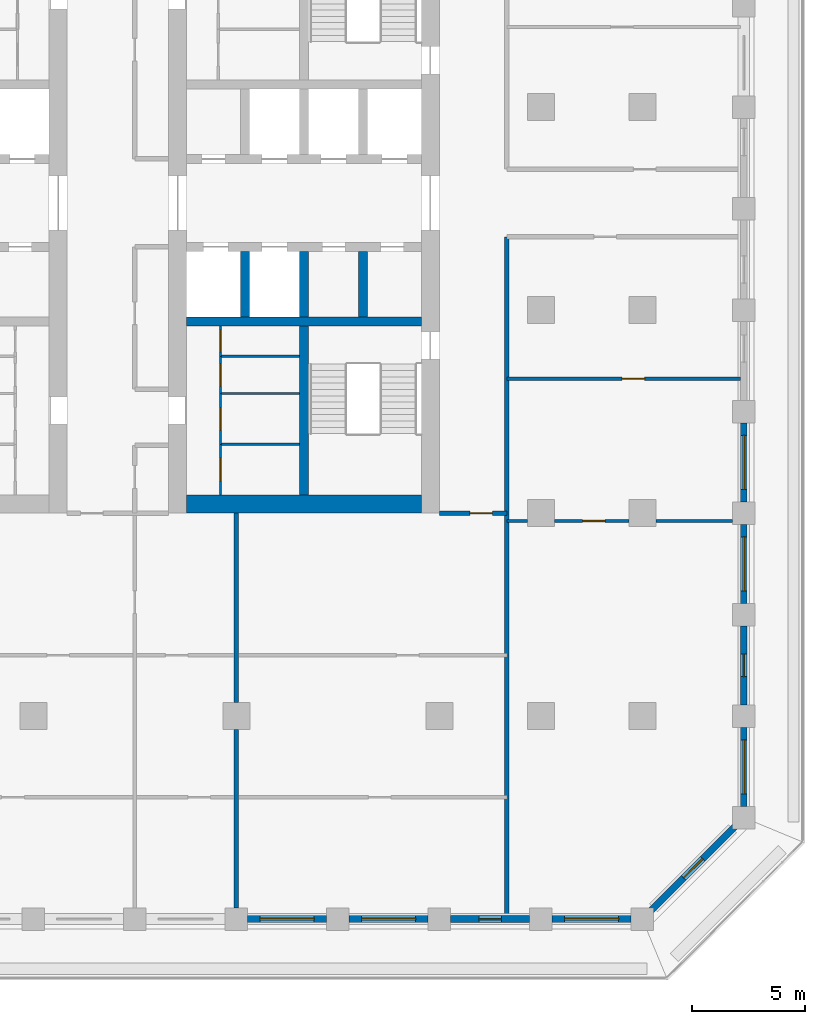
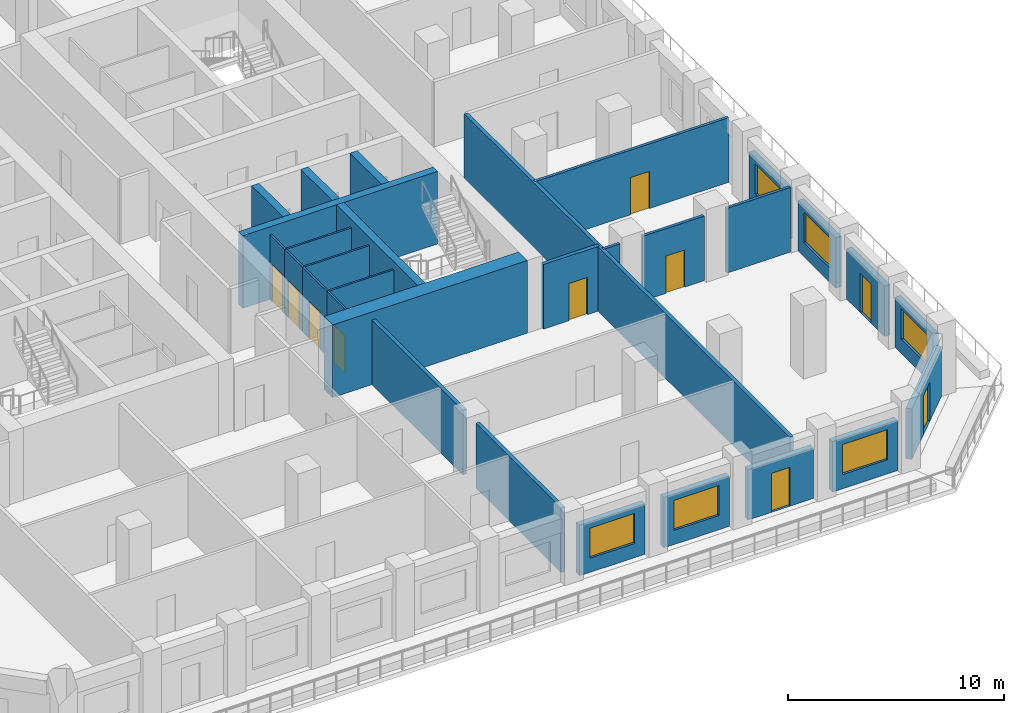
# One storey, part 4 of 16: 30 walls, 10 doors, 6 windows, 16 openings.
"""IFC4 building model written with IfcOpenShell, lengths in metres."""

from ifc_helpers import new_model, si_unit, direction, frame, frame_2d, origin, place, context, subcontext, project, spatial, rectangle, extrude, material, layer, layer_set, type_object, element, fill, save


model = new_model("IFC4")

# Units and contexts
model_context = context("Model", 3, precision=1e-05, world=origin(), true_north=direction((0.0, 1.0)))
body_context = subcontext(model_context, "Body", "Model", "MODEL_VIEW")
ifc_project = project(units=[si_unit("LENGTHUNIT", "METRE"), si_unit("AREAUNIT", "SQUARE_METRE"), si_unit("VOLUMEUNIT", "CUBIC_METRE"), si_unit("PLANEANGLEUNIT", "RADIAN"), si_unit("MASSUNIT", "GRAM", prefix="KILO")], contexts=[model_context])

# Site, building, storey
site_placement = place(None, origin())
site = spatial("IfcSite", under=ifc_project, at=site_placement, CompositionType="ELEMENT")
building_placement = place(site_placement, origin())
building = spatial("IfcBuilding", under=site, at=building_placement, Name="Corbel Stack Research Tower", CompositionType="ELEMENT")
storey_placement = place(building_placement, frame((0.0, 0.0, 203.800048828125)))
storey = spatial("IfcBuildingStorey", under=building, at=storey_placement, Name="L46", CompositionType="ELEMENT", Elevation=203.800048828125)

# Walls
ifc_material_1 = material(Name="Concrete C60/75", Category="concrete")
ifc_layer_1 = layer(ifc_material_1, 0.39990234375)
ifc_layer_set_1 = layer_set([ifc_layer_1], Name="Concrete C60/75")
wall_type_1 = type_object("IfcWallType", Name="CW-400-60", PredefinedType="SHEAR", material=ifc_layer_set_1)
wall_1_placement = place(storey_placement, frame((6.800048828125, -0.5, 0.0), z_axis=(0.0, 0.0, 1.0), x_axis=(1.0, 0.0, 0.0)))
element("IfcWall", 1, at=wall_1_placement, inside=storey, type_object=wall_type_1, Name="East core wall, south row back L46", PredefinedType="SHEAR", context=body_context, shape_type="SweptSolid", body=[
    extrude(rectangle(XDim=10.39990234375, YDim=0.39990234375, at=frame_2d((5.199951171875, 0.0))), origin(), (0.0, 0.0, 1.0), 4.099853515625),
])
for number, where, z_axis, x_axis, name in (
    (2, (9.375, -0.300048828125, 0.0), (0.0, 0.0, 1.0), (0.0, 1.0, 0.0), "East core wall, south shaft 1 L46"),
    (3, (12.0, -0.300048828125, 0.0), (0.0, 0.0, 1.0), (0.0, 1.0, 0.0), "East core wall, south shaft 2 L46"),
    (4, (14.625, -0.300048828125, 0.0), (0.0, 0.0, 1.0), (0.0, 1.0, 0.0), "East core wall, south shaft 3 L46"),
):
    element("IfcWall", number, at=place(storey_placement, frame(where, z_axis=z_axis, x_axis=x_axis)), inside=storey, type_object=wall_type_1, Name=name, PredefinedType="SHEAR", context=body_context, shape_type="SweptSolid", body=[
        extrude(rectangle(XDim=2.900146484375, YDim=0.39990234375, at=frame_2d((1.4501953125, 0.0))), origin(), (0.0, 0.0, 1.0), 4.099853515625),
    ])
wall_2_placement = place(storey_placement, frame((12.0, -8.199951171875, 0.0), z_axis=(0.0, 0.0, 1.0), x_axis=(0.0, 1.0, 0.0)))
element("IfcWall", 5, at=wall_2_placement, inside=storey, type_object=wall_type_1, Name="East core wall, south stair and WC L46", PredefinedType="SHEAR", context=body_context, shape_type="SweptSolid", body=[
    extrude(rectangle(XDim=7.5, YDim=0.39990234375, at=frame_2d((3.75, 0.0))), origin(), (0.0, 0.0, 1.0), 4.099853515625),
])
ifc_material_2 = material(Name="Concrete C60/75", Category="concrete")
ifc_layer_2 = layer(ifc_material_2, 0.800048828125)
ifc_layer_set_2 = layer_set([ifc_layer_2], Name="Concrete C60/75")
wall_type_2 = type_object("IfcWallType", Name="CW-800-60", PredefinedType="SHEAR", material=ifc_layer_set_2)
wall_3_placement = place(storey_placement, frame((6.800048828125, -8.60009765625, 0.0), z_axis=(0.0, 0.0, 1.0), x_axis=(1.0, 0.0, 0.0)))
element("IfcWall", 6, at=wall_3_placement, inside=storey, type_object=wall_type_2, Name="East core wall, south end L46", PredefinedType="SHEAR", context=body_context, shape_type="SweptSolid", body=[
    extrude(rectangle(XDim=10.39990234375, YDim=0.800048828125, at=frame_2d((5.199951171875, 0.0))), origin(), (0.0, 0.0, 1.0), 4.099853515625),
])

# Wall, opening, door
ifc_material_3 = material(Name="Gypsum board")
ifc_layer_3 = layer(ifc_material_3, 0.10009765625)
ifc_layer_set_3 = layer_set([ifc_layer_3], Name="Gypsum board")
wall_type_3 = type_object("IfcWallType", Name="Core partition 100", PredefinedType="PARTITIONING", material=ifc_layer_set_3)
wall_4_placement = place(storey_placement, frame((8.300048828125, -8.199951171875, 0.0), z_axis=(0.0, 0.0, 1.0), x_axis=(0.0, 1.0, 0.0)))
wall_4 = element("IfcWall", 7, at=wall_4_placement, inside=storey, type_object=wall_type_3, Name="Core partition E", PredefinedType="PARTITIONING", context=body_context, shape_type="SweptSolid", body=[
    extrude(rectangle(XDim=2.25, YDim=0.10009765625, at=frame_2d((1.125, 0.0))), origin(), (0.0, 0.0, 1.0), 3.64990234375),
])
opening_1_placement = place(wall_4_placement, frame((0.625, 0.0, 0.0)))
opening_1 = element("IfcOpeningElement", 8, at=opening_1_placement, cuts=wall_4, Name="Opening CR-E42-W2-1000", PredefinedType="OPENING", context=body_context, shape_type="SweptSolid", body=[
    extrude(rectangle(XDim=1.0, YDim=2.10009765625, at=frame_2d((0.5, 1.050048828125))), frame((0.0, 0.06005859375, 0.0), z_axis=(0.0, -1.0, 0.0), x_axis=(1.0, 0.0, 0.0)), (0.0, 0.0, 1.0), 0.1201171875),
])
ifc_material_4 = material(Name="Painted timber door", Category="wood")
door_type_1 = type_object("IfcDoorType", Name="WC door 1000 x 2100 left hand", OperationType="SINGLE_SWING_LEFT", PredefinedType="DOOR", material=ifc_material_4)
door_1_placement = place(opening_1_placement, origin())
door_1 = element("IfcDoor", 9, at=door_1_placement, inside=storey, type_object=door_type_1, Name="Men's WC door E core", OperationType="SINGLE_SWING_LEFT", OverallHeight=2.10009765625, OverallWidth=1.0, PredefinedType="DOOR", context=body_context, shape_type="SweptSolid", body=[
    extrude(rectangle(XDim=1.0, YDim=2.10009765625, at=frame_2d((0.5, 1.050048828125))), frame((0.0, 0.02490234375, 0.0), z_axis=(0.0, -1.0, 0.0), x_axis=(1.0, 0.0, 0.0)), (0.0, 0.0, 1.0), 0.050048828125),
])
fill(opening_1, door_1)

wall_5_placement = place(storey_placement, frame((8.300048828125, -5.949951171875, 0.0), z_axis=(0.0, 0.0, 1.0), x_axis=(0.0, 1.0, 0.0)))
wall_5 = element("IfcWall", 10, at=wall_5_placement, inside=storey, type_object=wall_type_3, Name="Core partition E", PredefinedType="PARTITIONING", context=body_context, shape_type="SweptSolid", body=[
    extrude(rectangle(XDim=2.25, YDim=0.10009765625, at=frame_2d((1.125, 0.0))), origin(), (0.0, 0.0, 1.0), 3.64990234375),
])
opening_2_placement = place(wall_5_placement, frame((0.625, 0.0, 0.0)))
opening_2 = element("IfcOpeningElement", 11, at=opening_2_placement, cuts=wall_5, Name="Opening CR-E42-W3-1000", PredefinedType="OPENING", context=body_context, shape_type="SweptSolid", body=[
    extrude(rectangle(XDim=1.0, YDim=2.10009765625, at=frame_2d((0.5, 1.050048828125))), frame((0.0, 0.06005859375, 0.0), z_axis=(0.0, -1.0, 0.0), x_axis=(1.0, 0.0, 0.0)), (0.0, 0.0, 1.0), 0.1201171875),
])
ifc_material_5 = material(Name="Painted timber door", Category="wood")
door_type_2 = type_object("IfcDoorType", Name="WC door 1000 x 2100 right hand", OperationType="SINGLE_SWING_RIGHT", PredefinedType="DOOR", material=ifc_material_5)
door_2_placement = place(opening_2_placement, origin())
door_2 = element("IfcDoor", 12, at=door_2_placement, inside=storey, type_object=door_type_2, Name="Women's WC door E core", OperationType="SINGLE_SWING_RIGHT", OverallHeight=2.10009765625, OverallWidth=1.0, PredefinedType="DOOR", context=body_context, shape_type="SweptSolid", body=[
    extrude(rectangle(XDim=1.0, YDim=2.10009765625, at=frame_2d((0.5, 1.050048828125))), frame((0.0, 0.02490234375, 0.0), z_axis=(0.0, -1.0, 0.0), x_axis=(1.0, 0.0, 0.0)), (0.0, 0.0, 1.0), 0.050048828125),
])
fill(opening_2, door_2)

wall_6_placement = place(storey_placement, frame((8.300048828125, -3.699951171875, 0.0), z_axis=(0.0, 0.0, 1.0), x_axis=(0.0, 1.0, 0.0)))
wall_6 = element("IfcWall", 13, at=wall_6_placement, inside=storey, type_object=wall_type_3, Name="Core partition E", PredefinedType="PARTITIONING", context=body_context, shape_type="SweptSolid", body=[
    extrude(rectangle(XDim=1.64990234375, YDim=0.10009765625, at=frame_2d((0.824951171875, 0.0))), origin(), (0.0, 0.0, 1.0), 3.64990234375),
])
opening_3_placement = place(wall_6_placement, frame((0.324951171875, 0.0, 0.0)))
opening_3 = element("IfcOpeningElement", 14, at=opening_3_placement, cuts=wall_6, Name="Opening CR-E42-W4-1000", PredefinedType="OPENING", context=body_context, shape_type="SweptSolid", body=[
    extrude(rectangle(XDim=1.0, YDim=2.10009765625, at=frame_2d((0.5, 1.050048828125))), frame((0.0, 0.06005859375, 0.0), z_axis=(0.0, -1.0, 0.0), x_axis=(1.0, 0.0, 0.0)), (0.0, 0.0, 1.0), 0.1201171875),
])
door_3_placement = place(opening_3_placement, origin())
door_3 = element("IfcDoor", 15, at=door_3_placement, inside=storey, type_object=door_type_1, Name="Accessible WC door E core", OperationType="SINGLE_SWING_LEFT", OverallHeight=2.10009765625, OverallWidth=1.0, PredefinedType="DOOR", context=body_context, shape_type="SweptSolid", body=[
    extrude(rectangle(XDim=1.0, YDim=2.10009765625, at=frame_2d((0.5, 1.050048828125))), frame((0.0, 0.02490234375, 0.0), z_axis=(0.0, -1.0, 0.0), x_axis=(1.0, 0.0, 0.0)), (0.0, 0.0, 1.0), 0.050048828125),
])
fill(opening_3, door_3)

wall_7_placement = place(storey_placement, frame((8.300048828125, -2.050048828125, 0.0), z_axis=(0.0, 0.0, 1.0), x_axis=(0.0, 1.0, 0.0)))
wall_7 = element("IfcWall", 16, at=wall_7_placement, inside=storey, type_object=wall_type_3, Name="Core partition E", PredefinedType="PARTITIONING", context=body_context, shape_type="SweptSolid", body=[
    extrude(rectangle(XDim=1.35009765625, YDim=0.10009765625, at=frame_2d((0.675048828125, 0.0))), origin(), (0.0, 0.0, 1.0), 3.64990234375),
])
opening_4_placement = place(wall_7_placement, frame((0.199951171875, 0.0, 0.0)))
opening_4 = element("IfcOpeningElement", 17, at=opening_4_placement, cuts=wall_7, Name="Opening CR-E42-W5-950", PredefinedType="OPENING", context=body_context, shape_type="SweptSolid", body=[
    extrude(rectangle(XDim=0.949951171875, YDim=2.10009765625, at=frame_2d((0.47509765625, 1.050048828125))), frame((0.0, 0.06005859375, 0.0), z_axis=(0.0, -1.0, 0.0), x_axis=(1.0, 0.0, 0.0)), (0.0, 0.0, 1.0), 0.1201171875),
])
ifc_material_6 = material(Name="Painted steel door", Category="steel")
door_type_3 = type_object("IfcDoorType", Name="Service door 950 x 2100 FD30 right hand", OperationType="SINGLE_SWING_RIGHT", PredefinedType="DOOR", material=ifc_material_6)
door_4_placement = place(opening_4_placement, origin())
door_4 = element("IfcDoor", 18, at=door_4_placement, inside=storey, type_object=door_type_3, Name="Cleaner's store door E core", OperationType="SINGLE_SWING_RIGHT", OverallHeight=2.10009765625, OverallWidth=0.949951171875, PredefinedType="DOOR", context=body_context, shape_type="SweptSolid", body=[
    extrude(rectangle(XDim=0.949951171875, YDim=2.10009765625, at=frame_2d((0.47509765625, 1.050048828125))), frame((0.0, 0.02490234375, 0.0), z_axis=(0.0, -1.0, 0.0), x_axis=(1.0, 0.0, 0.0)), (0.0, 0.0, 1.0), 0.050048828125),
])
fill(opening_4, door_4)

# Walls
for number, where, z_axis, x_axis, name in (
    (19, (8.300048828125, -5.949951171875, 0.0), (0.0, 0.0, 1.0), (1.0, 0.0, 0.0), "Core partition E"),
    (20, (8.300048828125, -3.699951171875, 0.0), (0.0, 0.0, 1.0), (1.0, 0.0, 0.0), "Core partition E"),
    (21, (8.300048828125, -2.050048828125, 0.0), (0.0, 0.0, 1.0), (1.0, 0.0, 0.0), "Core partition E"),
):
    element("IfcWall", number, at=place(storey_placement, frame(where, z_axis=z_axis, x_axis=x_axis)), inside=storey, type_object=wall_type_3, Name=name, PredefinedType="PARTITIONING", context=body_context, shape_type="SweptSolid", body=[
        extrude(rectangle(XDim=3.5, YDim=0.10009765625, at=frame_2d((1.75, 0.0))), origin(), (0.0, 0.0, 1.0), 3.64990234375),
    ])
ifc_material_7 = material(Name="Fire-rated gypsum board partition on steel studs", Category="steel")
ifc_layer_4 = layer(ifc_material_7, 0.199951171875)
ifc_layer_set_4 = layer_set([ifc_layer_4], Name="Fire-rated gypsum board partition on steel studs")
wall_type_4 = type_object("IfcWallType", Name="Fire-rated partition 200 EI 60", PredefinedType="PARTITIONING", material=ifc_layer_set_4)
wall_8_placement = place(storey_placement, frame((9.0, -26.5, 0.0), z_axis=(0.0, 0.0, 1.0), x_axis=(0.0, 1.0, 0.0)))
element("IfcWall", 22, at=wall_8_placement, inside=storey, type_object=wall_type_4, Name="Partition L46-010", PredefinedType="PARTITIONING", context=body_context, shape_type="SweptSolid", body=[
    extrude(rectangle(XDim=7.89990234375, YDim=0.199951171875, at=frame_2d((3.949951171875, 0.0))), origin(), (0.0, 0.0, 1.0), 3.64990234375),
])
wall_9_placement = place(storey_placement, frame((9.0, -17.39990234375, 0.0), z_axis=(0.0, 0.0, 1.0), x_axis=(0.0, 1.0, 0.0)))
element("IfcWall", 23, at=wall_9_placement, inside=storey, type_object=wall_type_4, Name="Partition L46-011", PredefinedType="PARTITIONING", context=body_context, shape_type="SweptSolid", body=[
    extrude(rectangle(XDim=8.39990234375, YDim=0.199951171875, at=frame_2d((4.199951171875, 0.0))), origin(), (0.0, 0.0, 1.0), 3.64990234375),
])
wall_10_placement = place(storey_placement, frame((21.0, -26.85009765625, 0.0), z_axis=(0.0, 0.0, 1.0), x_axis=(0.0, 1.0, 0.0)))
element("IfcWall", 24, at=wall_10_placement, inside=storey, type_object=wall_type_4, Name="Partition L46-014", PredefinedType="PARTITIONING", context=body_context, shape_type="SweptSolid", body=[
    extrude(rectangle(XDim=30.10009765625, YDim=0.199951171875, at=frame_2d((15.050048828125, 0.0))), origin(), (0.0, 0.0, 1.0), 3.64990234375),
])

# Wall, opening, door
wall_11_placement = place(storey_placement, frame((21.0, -9.0, 0.0), z_axis=(0.0, 0.0, 1.0), x_axis=(-1.0, 0.0, 0.0)))
wall_11 = element("IfcWall", 25, at=wall_11_placement, inside=storey, type_object=wall_type_4, Name="Partition L46-025", PredefinedType="PARTITIONING", context=body_context, shape_type="SweptSolid", body=[
    extrude(rectangle(XDim=3.0, YDim=0.199951171875, at=frame_2d((1.5, 0.0))), origin(), (0.0, 0.0, 1.0), 3.64990234375),
])
opening_5_placement = place(wall_11_placement, frame((0.64990234375, 0.0, 0.0)))
opening_5 = element("IfcOpeningElement", 26, at=opening_5_placement, cuts=wall_11, Name="Opening B6V1-013", PredefinedType="OPENING", context=body_context, shape_type="SweptSolid", body=[
    extrude(rectangle(XDim=1.0, YDim=2.10009765625, at=frame_2d((0.5, 1.050048828125))), frame((0.0, 0.10986328125, 0.0), z_axis=(0.0, -1.0, 0.0), x_axis=(1.0, 0.0, 0.0)), (0.0, 0.0, 1.0), 0.219970703125),
])
ifc_material_8 = material(Name="Painted steel fire door", Category="steel")
door_type_4 = type_object("IfcDoorType", Name="Fire door FD30S 1000 x 2100", OperationType="NOTDEFINED", PredefinedType="DOOR", material=ifc_material_8)
door_5_placement = place(opening_5_placement, origin())
door_5 = element("IfcDoor", 27, at=door_5_placement, inside=storey, type_object=door_type_4, Name="Door B6V1-013", OperationType="SINGLE_SWING_LEFT", OverallHeight=2.10009765625, OverallWidth=1.0, PredefinedType="DOOR", context=body_context, shape_type="SweptSolid", body=[
    extrude(rectangle(XDim=1.0, YDim=2.10009765625, at=frame_2d((0.5, 1.050048828125))), frame((0.0, 0.02490234375, 0.0), z_axis=(0.0, -1.0, 0.0), x_axis=(1.0, 0.0, 0.0)), (0.0, 0.0, 1.0), 0.050048828125),
])
fill(opening_5, door_5)

# Wall
ifc_material_9 = material(Name="Gypsum board partition on steel studs", Category="steel")
ifc_layer_5 = layer(ifc_material_9, 0.14990234375)
ifc_layer_set_5 = layer_set([ifc_layer_5], Name="Gypsum board partition on steel studs")
wall_type_5 = type_object("IfcWallType", Name="Partition 150", PredefinedType="PARTITIONING", material=ifc_layer_set_5)
wall_12_placement = place(storey_placement, frame((21.0, -9.35009765625, 0.0), z_axis=(0.0, 0.0, 1.0), x_axis=(1.0, 0.0, 0.0)))
element("IfcWall", 28, at=wall_12_placement, inside=storey, type_object=wall_type_5, Name="Partition L46-020", PredefinedType="PARTITIONING", context=body_context, shape_type="SweptSolid", body=[
    extrude(rectangle(XDim=0.89990234375, YDim=0.14990234375, at=frame_2d((0.449951171875, 0.0))), origin(), (0.0, 0.0, 1.0), 3.64990234375),
])

# Wall, opening, door
wall_13_placement = place(storey_placement, frame((26.39990234375, -9.35009765625, 0.0), z_axis=(0.0, 0.0, 1.0), x_axis=(-1.0, 0.0, 0.0)))
wall_13 = element("IfcWall", 29, at=wall_13_placement, inside=storey, type_object=wall_type_5, Name="Partition L46-021", PredefinedType="PARTITIONING", context=body_context, shape_type="SweptSolid", body=[
    extrude(rectangle(XDim=3.2998046875, YDim=0.14990234375, at=frame_2d((1.64990234375, 0.0))), origin(), (0.0, 0.0, 1.0), 3.64990234375),
])
opening_6_placement = place(wall_13_placement, frame((1.050048828125, 0.0, 0.0)))
opening_6 = element("IfcOpeningElement", 30, at=opening_6_placement, cuts=wall_13, Name="Opening B6V1-010", PredefinedType="OPENING", context=body_context, shape_type="SweptSolid", body=[
    extrude(rectangle(XDim=1.0, YDim=2.10009765625, at=frame_2d((0.5, 1.050048828125))), frame((0.0, 0.0849609375, 0.0), z_axis=(0.0, -1.0, 0.0), x_axis=(1.0, 0.0, 0.0)), (0.0, 0.0, 1.0), 0.169921875),
])
ifc_material_10 = material(Name="Painted timber door", Category="wood")
door_type_5 = type_object("IfcDoorType", Name="Single door 1000 x 2100", OperationType="NOTDEFINED", PredefinedType="DOOR", material=ifc_material_10)
door_6_placement = place(opening_6_placement, origin())
door_6 = element("IfcDoor", 31, at=door_6_placement, inside=storey, type_object=door_type_5, Name="Door B6V1-010", OperationType="SINGLE_SWING_LEFT", OverallHeight=2.10009765625, OverallWidth=1.0, PredefinedType="DOOR", context=body_context, shape_type="SweptSolid", body=[
    extrude(rectangle(XDim=1.0, YDim=2.10009765625, at=frame_2d((0.5, 1.050048828125))), frame((0.0, 0.02490234375, 0.0), z_axis=(0.0, -1.0, 0.0), x_axis=(1.0, 0.0, 0.0)), (0.0, 0.0, 1.0), 0.050048828125),
])
fill(opening_6, door_6)

# Wall
wall_14_placement = place(storey_placement, frame((27.60009765625, -9.35009765625, 0.0), z_axis=(0.0, 0.0, 1.0), x_axis=(1.0, 0.0, 0.0)))
element("IfcWall", 32, at=wall_14_placement, inside=storey, type_object=wall_type_5, Name="Partition L46-022", PredefinedType="PARTITIONING", context=body_context, shape_type="SweptSolid", body=[
    extrude(rectangle(XDim=3.39990234375, YDim=0.14990234375, at=frame_2d((1.699951171875, 0.0))), origin(), (0.0, 0.0, 1.0), 3.64990234375),
])

# Wall, opening, door
wall_15_placement = place(storey_placement, frame((31.35009765625, -3.050048828125, 0.0), z_axis=(0.0, 0.0, 1.0), x_axis=(-1.0, 0.0, 0.0)))
wall_15 = element("IfcWall", 33, at=wall_15_placement, inside=storey, type_object=wall_type_5, Name="Partition L46-029", PredefinedType="PARTITIONING", context=body_context, shape_type="SweptSolid", body=[
    extrude(rectangle(XDim=10.35009765625, YDim=0.14990234375, at=frame_2d((5.175048828125, 0.0))), origin(), (0.0, 0.0, 1.0), 3.64990234375),
])
opening_7_placement = place(wall_15_placement, frame((4.25, 0.0, 0.0)))
opening_7 = element("IfcOpeningElement", 34, at=opening_7_placement, cuts=wall_15, Name="Opening B6V1-015", PredefinedType="OPENING", context=body_context, shape_type="SweptSolid", body=[
    extrude(rectangle(XDim=1.0, YDim=2.10009765625, at=frame_2d((0.5, 1.050048828125))), frame((0.0, 0.0849609375, 0.0), z_axis=(0.0, -1.0, 0.0), x_axis=(1.0, 0.0, 0.0)), (0.0, 0.0, 1.0), 0.169921875),
])
door_7_placement = place(opening_7_placement, origin())
door_7 = element("IfcDoor", 35, at=door_7_placement, inside=storey, type_object=door_type_5, Name="Door B6V1-015", OperationType="SINGLE_SWING_LEFT", OverallHeight=2.10009765625, OverallWidth=1.0, PredefinedType="DOOR", context=body_context, shape_type="SweptSolid", body=[
    extrude(rectangle(XDim=1.0, YDim=2.10009765625, at=frame_2d((0.5, 1.050048828125))), frame((0.0, 0.02490234375, 0.0), z_axis=(0.0, -1.0, 0.0), x_axis=(1.0, 0.0, 0.0)), (0.0, 0.0, 1.0), 0.050048828125),
])
fill(opening_7, door_7)

# Wall, opening, window
ifc_material_11 = material(Name="Concrete C45/55", Category="concrete")
ifc_layer_6 = layer(ifc_material_11, 0.300048828125)
ifc_layer_set_6 = layer_set([ifc_layer_6], Name="Concrete C45/55")
wall_type_6 = type_object("IfcWallType", Name="Terracotta-faced concrete wall 300", PredefinedType="SOLIDWALL", material=ifc_layer_set_6)
wall_16_placement = place(storey_placement, frame((13.0, -27.0, 0.0), z_axis=(0.0, 0.0, 1.0), x_axis=(-1.0, 0.0, 0.0)))
wall_16 = element("IfcWall", 36, at=wall_16_placement, inside=storey, type_object=wall_type_6, Name="Facade wall L46 S07", PredefinedType="SOLIDWALL", context=body_context, shape_type="SweptSolid", body=[
    extrude(rectangle(XDim=3.5, YDim=0.300048828125, at=frame_2d((1.75, 0.0))), origin(), (0.0, 0.0, 1.0), 2.849853515625),
])
opening_8_placement = place(wall_16_placement, frame((0.550048828125, 0.0, 0.800048828125)))
opening_8 = element("IfcOpeningElement", 37, at=opening_8_placement, cuts=wall_16, Name="Opening W1", PredefinedType="OPENING", context=body_context, shape_type="SweptSolid", body=[
    extrude(rectangle(XDim=2.39990234375, YDim=1.699951171875, at=frame_2d((1.199951171875, 0.85009765625))), frame((0.0, 0.159912109375, 0.0), z_axis=(0.0, -1.0, 0.0), x_axis=(1.0, 0.0, 0.0)), (0.0, 0.0, 1.0), 0.320068359375),
])
ifc_material_12 = material(Name="Aluminium frame, clear double glazing", Category="aluminium")
window_type = type_object("IfcWindowType", Name="Window W1 2400 x 1700", PartitioningType="SINGLE_PANEL", PredefinedType="WINDOW", material=ifc_material_12)
window_1_placement = place(opening_8_placement, origin())
window_1 = element("IfcWindow", 38, at=window_1_placement, inside=storey, type_object=window_type, Name="Window W1 L46 S07", OverallHeight=1.699951171875, OverallWidth=2.39990234375, PartitioningType="SINGLE_PANEL", PredefinedType="WINDOW", context=body_context, shape_type="SweptSolid", body=[
    extrude(rectangle(XDim=2.39990234375, YDim=1.699951171875, at=frame_2d((1.199951171875, 0.85009765625))), frame((0.0, 0.030029296875, 0.0), z_axis=(0.0, -1.0, 0.0), x_axis=(1.0, 0.0, 0.0)), (0.0, 0.0, 1.0), 0.06005859375),
])
fill(opening_8, window_1)

wall_17_placement = place(storey_placement, frame((17.5, -27.0, 0.0), z_axis=(0.0, 0.0, 1.0), x_axis=(-1.0, 0.0, 0.0)))
wall_17 = element("IfcWall", 39, at=wall_17_placement, inside=storey, type_object=wall_type_6, Name="Facade wall L46 S08", PredefinedType="SOLIDWALL", context=body_context, shape_type="SweptSolid", body=[
    extrude(rectangle(XDim=3.5, YDim=0.300048828125, at=frame_2d((1.75, 0.0))), origin(), (0.0, 0.0, 1.0), 2.849853515625),
])
opening_9_placement = place(wall_17_placement, frame((0.550048828125, 0.0, 0.800048828125)))
opening_9 = element("IfcOpeningElement", 40, at=opening_9_placement, cuts=wall_17, Name="Opening W1", PredefinedType="OPENING", context=body_context, shape_type="SweptSolid", body=[
    extrude(rectangle(XDim=2.39990234375, YDim=1.699951171875, at=frame_2d((1.199951171875, 0.85009765625))), frame((0.0, 0.159912109375, 0.0), z_axis=(0.0, -1.0, 0.0), x_axis=(1.0, 0.0, 0.0)), (0.0, 0.0, 1.0), 0.320068359375),
])
window_2_placement = place(opening_9_placement, origin())
window_2 = element("IfcWindow", 41, at=window_2_placement, inside=storey, type_object=window_type, Name="Window W1 L46 S08", OverallHeight=1.699951171875, OverallWidth=2.39990234375, PartitioningType="SINGLE_PANEL", PredefinedType="WINDOW", context=body_context, shape_type="SweptSolid", body=[
    extrude(rectangle(XDim=2.39990234375, YDim=1.699951171875, at=frame_2d((1.199951171875, 0.85009765625))), frame((0.0, 0.030029296875, 0.0), z_axis=(0.0, -1.0, 0.0), x_axis=(1.0, 0.0, 0.0)), (0.0, 0.0, 1.0), 0.06005859375),
])
fill(opening_9, window_2)

# Wall, opening, door
wall_18_placement = place(storey_placement, frame((22.0, -27.0, 0.0), z_axis=(0.0, 0.0, 1.0), x_axis=(-1.0, 0.0, 0.0)))
wall_18 = element("IfcWall", 42, at=wall_18_placement, inside=storey, type_object=wall_type_6, Name="Facade wall L46 S09", PredefinedType="SOLIDWALL", context=body_context, shape_type="SweptSolid", body=[
    extrude(rectangle(XDim=3.5, YDim=0.300048828125, at=frame_2d((1.75, 0.0))), origin(), (0.0, 0.0, 1.0), 2.849853515625),
])
opening_10_placement = place(wall_18_placement, frame((1.25, 0.0, 0.0)))
opening_10 = element("IfcOpeningElement", 43, at=opening_10_placement, cuts=wall_18, Name="Opening L46-B02", PredefinedType="OPENING", context=body_context, shape_type="SweptSolid", body=[
    extrude(rectangle(XDim=1.0, YDim=2.199951171875, at=frame_2d((0.5, 1.10009765625))), frame((0.0, 0.159912109375, 0.0), z_axis=(0.0, -1.0, 0.0), x_axis=(1.0, 0.0, 0.0)), (0.0, 0.0, 1.0), 0.320068359375),
])
ifc_material_13 = material(Name="Aluminium frame, clear double glazing", Category="aluminium")
door_type_6 = type_object("IfcDoorType", Name="Balcony door BD1 1000 x 2200", OperationType="NOTDEFINED", PredefinedType="DOOR", material=ifc_material_13)
door_8_placement = place(opening_10_placement, origin())
door_8 = element("IfcDoor", 44, at=door_8_placement, inside=storey, type_object=door_type_6, Name="Balcony door L46-B02", OperationType="SINGLE_SWING_LEFT", OverallHeight=2.199951171875, OverallWidth=1.0, PredefinedType="DOOR", context=body_context, shape_type="SweptSolid", body=[
    extrude(rectangle(XDim=1.0, YDim=2.199951171875, at=frame_2d((0.5, 1.10009765625))), frame((0.0, 0.02490234375, 0.0), z_axis=(0.0, -1.0, 0.0), x_axis=(1.0, 0.0, 0.0)), (0.0, 0.0, 1.0), 0.050048828125),
])
fill(opening_10, door_8)

# Wall, opening, window
wall_19_placement = place(storey_placement, frame((26.5, -27.0, 0.0), z_axis=(0.0, 0.0, 1.0), x_axis=(-1.0, 0.0, 0.0)))
wall_19 = element("IfcWall", 45, at=wall_19_placement, inside=storey, type_object=wall_type_6, Name="Facade wall L46 S10", PredefinedType="SOLIDWALL", context=body_context, shape_type="SweptSolid", body=[
    extrude(rectangle(XDim=3.5, YDim=0.300048828125, at=frame_2d((1.75, 0.0))), origin(), (0.0, 0.0, 1.0), 2.849853515625),
])
opening_11_placement = place(wall_19_placement, frame((0.550048828125, 0.0, 0.800048828125)))
opening_11 = element("IfcOpeningElement", 46, at=opening_11_placement, cuts=wall_19, Name="Opening W1", PredefinedType="OPENING", context=body_context, shape_type="SweptSolid", body=[
    extrude(rectangle(XDim=2.39990234375, YDim=1.699951171875, at=frame_2d((1.199951171875, 0.85009765625))), frame((0.0, 0.159912109375, 0.0), z_axis=(0.0, -1.0, 0.0), x_axis=(1.0, 0.0, 0.0)), (0.0, 0.0, 1.0), 0.320068359375),
])
window_3_placement = place(opening_11_placement, origin())
window_3 = element("IfcWindow", 47, at=window_3_placement, inside=storey, type_object=window_type, Name="Window W1 L46 S10", OverallHeight=1.699951171875, OverallWidth=2.39990234375, PartitioningType="SINGLE_PANEL", PredefinedType="WINDOW", context=body_context, shape_type="SweptSolid", body=[
    extrude(rectangle(XDim=2.39990234375, YDim=1.699951171875, at=frame_2d((1.199951171875, 0.85009765625))), frame((0.0, 0.030029296875, 0.0), z_axis=(0.0, -1.0, 0.0), x_axis=(1.0, 0.0, 0.0)), (0.0, 0.0, 1.0), 0.06005859375),
])
fill(opening_11, window_3)

# Wall, opening, door
wall_20_placement = place(storey_placement, frame((31.106201171875, -22.893798828125, 0.0), z_axis=(0.0, 0.0, 1.0), x_axis=(-0.707106781187, -0.707106781187, 0.0)))
wall_20 = element("IfcWall", 48, at=wall_20_placement, inside=storey, type_object=wall_type_6, Name="Facade wall L46 SE01", PredefinedType="SOLIDWALL", context=body_context, shape_type="SweptSolid", body=[
    extrude(rectangle(XDim=5.250244140625, YDim=0.300048828125, at=frame_2d((2.625, 0.0))), origin(), (0.0, 0.0, 1.0), 2.849853515625),
])
opening_12_placement = place(wall_20_placement, frame((2.02490234375, 0.0, 0.0)))
opening_12 = element("IfcOpeningElement", 49, at=opening_12_placement, cuts=wall_20, Name="Opening L46-B03", PredefinedType="OPENING", context=body_context, shape_type="SweptSolid", body=[
    extrude(rectangle(XDim=1.199951171875, YDim=2.199951171875, at=frame_2d((0.60009765625, 1.10009765625))), frame((0.0, 0.159912109375, 0.0), z_axis=(0.0, -1.0, 0.0), x_axis=(1.0, 0.0, 0.0)), (0.0, 0.0, 1.0), 0.320068359375),
])
ifc_material_14 = material(Name="Aluminium frame, clear double glazing", Category="aluminium")
door_type_7 = type_object("IfcDoorType", Name="Balcony door BD2 1200 x 2200", OperationType="NOTDEFINED", PredefinedType="DOOR", material=ifc_material_14)
door_9_placement = place(opening_12_placement, origin())
door_9 = element("IfcDoor", 50, at=door_9_placement, inside=storey, type_object=door_type_7, Name="Balcony door L46-B03", OperationType="SINGLE_SWING_LEFT", OverallHeight=2.199951171875, OverallWidth=1.199951171875, PredefinedType="DOOR", context=body_context, shape_type="SweptSolid", body=[
    extrude(rectangle(XDim=1.199951171875, YDim=2.199951171875, at=frame_2d((0.60009765625, 1.10009765625))), frame((0.0, 0.02490234375, 0.0), z_axis=(0.0, -1.0, 0.0), x_axis=(1.0, 0.0, 0.0)), (0.0, 0.0, 1.0), 0.050048828125),
])
fill(opening_12, door_9)

# Wall, opening, window
wall_21_placement = place(storey_placement, frame((31.5, -18.5, 0.0), z_axis=(0.0, 0.0, 1.0), x_axis=(0.0, -1.0, 0.0)))
wall_21 = element("IfcWall", 51, at=wall_21_placement, inside=storey, type_object=wall_type_6, Name="Facade wall L46 E01", PredefinedType="SOLIDWALL", context=body_context, shape_type="SweptSolid", body=[
    extrude(rectangle(XDim=3.5, YDim=0.300048828125, at=frame_2d((1.75, 0.0))), origin(), (0.0, 0.0, 1.0), 2.849853515625),
])
opening_13_placement = place(wall_21_placement, frame((0.550048828125, 0.0, 0.800048828125)))
opening_13 = element("IfcOpeningElement", 52, at=opening_13_placement, cuts=wall_21, Name="Opening W1", PredefinedType="OPENING", context=body_context, shape_type="SweptSolid", body=[
    extrude(rectangle(XDim=2.39990234375, YDim=1.699951171875, at=frame_2d((1.199951171875, 0.85009765625))), frame((0.0, 0.159912109375, 0.0), z_axis=(0.0, -1.0, 0.0), x_axis=(1.0, 0.0, 0.0)), (0.0, 0.0, 1.0), 0.320068359375),
])
window_4_placement = place(opening_13_placement, origin())
window_4 = element("IfcWindow", 53, at=window_4_placement, inside=storey, type_object=window_type, Name="Window W1 L46 E01", OverallHeight=1.699951171875, OverallWidth=2.39990234375, PartitioningType="SINGLE_PANEL", PredefinedType="WINDOW", context=body_context, shape_type="SweptSolid", body=[
    extrude(rectangle(XDim=2.39990234375, YDim=1.699951171875, at=frame_2d((1.199951171875, 0.85009765625))), frame((0.0, 0.030029296875, 0.0), z_axis=(0.0, -1.0, 0.0), x_axis=(1.0, 0.0, 0.0)), (0.0, 0.0, 1.0), 0.06005859375),
])
fill(opening_13, window_4)

# Wall, opening, door
wall_22_placement = place(storey_placement, frame((31.5, -14.0, 0.0), z_axis=(0.0, 0.0, 1.0), x_axis=(0.0, -1.0, 0.0)))
wall_22 = element("IfcWall", 54, at=wall_22_placement, inside=storey, type_object=wall_type_6, Name="Facade wall L46 E02", PredefinedType="SOLIDWALL", context=body_context, shape_type="SweptSolid", body=[
    extrude(rectangle(XDim=3.5, YDim=0.300048828125, at=frame_2d((1.75, 0.0))), origin(), (0.0, 0.0, 1.0), 2.849853515625),
])
opening_14_placement = place(wall_22_placement, frame((1.25, 0.0, 0.0)))
opening_14 = element("IfcOpeningElement", 55, at=opening_14_placement, cuts=wall_22, Name="Opening L46-B04", PredefinedType="OPENING", context=body_context, shape_type="SweptSolid", body=[
    extrude(rectangle(XDim=1.0, YDim=2.199951171875, at=frame_2d((0.5, 1.10009765625))), frame((0.0, 0.159912109375, 0.0), z_axis=(0.0, -1.0, 0.0), x_axis=(1.0, 0.0, 0.0)), (0.0, 0.0, 1.0), 0.320068359375),
])
door_10_placement = place(opening_14_placement, origin())
door_10 = element("IfcDoor", 56, at=door_10_placement, inside=storey, type_object=door_type_6, Name="Balcony door L46-B04", OperationType="SINGLE_SWING_RIGHT", OverallHeight=2.199951171875, OverallWidth=1.0, PredefinedType="DOOR", context=body_context, shape_type="SweptSolid", body=[
    extrude(rectangle(XDim=1.0, YDim=2.199951171875, at=frame_2d((0.5, 1.10009765625))), frame((0.0, 0.02490234375, 0.0), z_axis=(0.0, -1.0, 0.0), x_axis=(1.0, 0.0, 0.0)), (0.0, 0.0, 1.0), 0.050048828125),
])
fill(opening_14, door_10)

# Wall, opening, window
wall_23_placement = place(storey_placement, frame((31.5, -9.5, 0.0), z_axis=(0.0, 0.0, 1.0), x_axis=(0.0, -1.0, 0.0)))
wall_23 = element("IfcWall", 57, at=wall_23_placement, inside=storey, type_object=wall_type_6, Name="Facade wall L46 E03", PredefinedType="SOLIDWALL", context=body_context, shape_type="SweptSolid", body=[
    extrude(rectangle(XDim=3.5, YDim=0.300048828125, at=frame_2d((1.75, 0.0))), origin(), (0.0, 0.0, 1.0), 2.849853515625),
])
opening_15_placement = place(wall_23_placement, frame((0.550048828125, 0.0, 0.800048828125)))
opening_15 = element("IfcOpeningElement", 58, at=opening_15_placement, cuts=wall_23, Name="Opening W1", PredefinedType="OPENING", context=body_context, shape_type="SweptSolid", body=[
    extrude(rectangle(XDim=2.39990234375, YDim=1.699951171875, at=frame_2d((1.199951171875, 0.85009765625))), frame((0.0, 0.159912109375, 0.0), z_axis=(0.0, -1.0, 0.0), x_axis=(1.0, 0.0, 0.0)), (0.0, 0.0, 1.0), 0.320068359375),
])
window_5_placement = place(opening_15_placement, origin())
window_5 = element("IfcWindow", 59, at=window_5_placement, inside=storey, type_object=window_type, Name="Window W1 L46 E03", OverallHeight=1.699951171875, OverallWidth=2.39990234375, PartitioningType="SINGLE_PANEL", PredefinedType="WINDOW", context=body_context, shape_type="SweptSolid", body=[
    extrude(rectangle(XDim=2.39990234375, YDim=1.699951171875, at=frame_2d((1.199951171875, 0.85009765625))), frame((0.0, 0.030029296875, 0.0), z_axis=(0.0, -1.0, 0.0), x_axis=(1.0, 0.0, 0.0)), (0.0, 0.0, 1.0), 0.06005859375),
])
fill(opening_15, window_5)

wall_24_placement = place(storey_placement, frame((31.5, -5.0, 0.0), z_axis=(0.0, 0.0, 1.0), x_axis=(0.0, -1.0, 0.0)))
wall_24 = element("IfcWall", 60, at=wall_24_placement, inside=storey, type_object=wall_type_6, Name="Facade wall L46 E04", PredefinedType="SOLIDWALL", context=body_context, shape_type="SweptSolid", body=[
    extrude(rectangle(XDim=3.5, YDim=0.300048828125, at=frame_2d((1.75, 0.0))), origin(), (0.0, 0.0, 1.0), 2.849853515625),
])
opening_16_placement = place(wall_24_placement, frame((0.550048828125, 0.0, 0.800048828125)))
opening_16 = element("IfcOpeningElement", 61, at=opening_16_placement, cuts=wall_24, Name="Opening W1", PredefinedType="OPENING", context=body_context, shape_type="SweptSolid", body=[
    extrude(rectangle(XDim=2.39990234375, YDim=1.699951171875, at=frame_2d((1.199951171875, 0.85009765625))), frame((0.0, 0.159912109375, 0.0), z_axis=(0.0, -1.0, 0.0), x_axis=(1.0, 0.0, 0.0)), (0.0, 0.0, 1.0), 0.320068359375),
])
window_6_placement = place(opening_16_placement, origin())
window_6 = element("IfcWindow", 62, at=window_6_placement, inside=storey, type_object=window_type, Name="Window W1 L46 E04", OverallHeight=1.699951171875, OverallWidth=2.39990234375, PartitioningType="SINGLE_PANEL", PredefinedType="WINDOW", context=body_context, shape_type="SweptSolid", body=[
    extrude(rectangle(XDim=2.39990234375, YDim=1.699951171875, at=frame_2d((1.199951171875, 0.85009765625))), frame((0.0, 0.030029296875, 0.0), z_axis=(0.0, -1.0, 0.0), x_axis=(1.0, 0.0, 0.0)), (0.0, 0.0, 1.0), 0.06005859375),
])
fill(opening_16, window_6)

save(model, "model.ifc")
